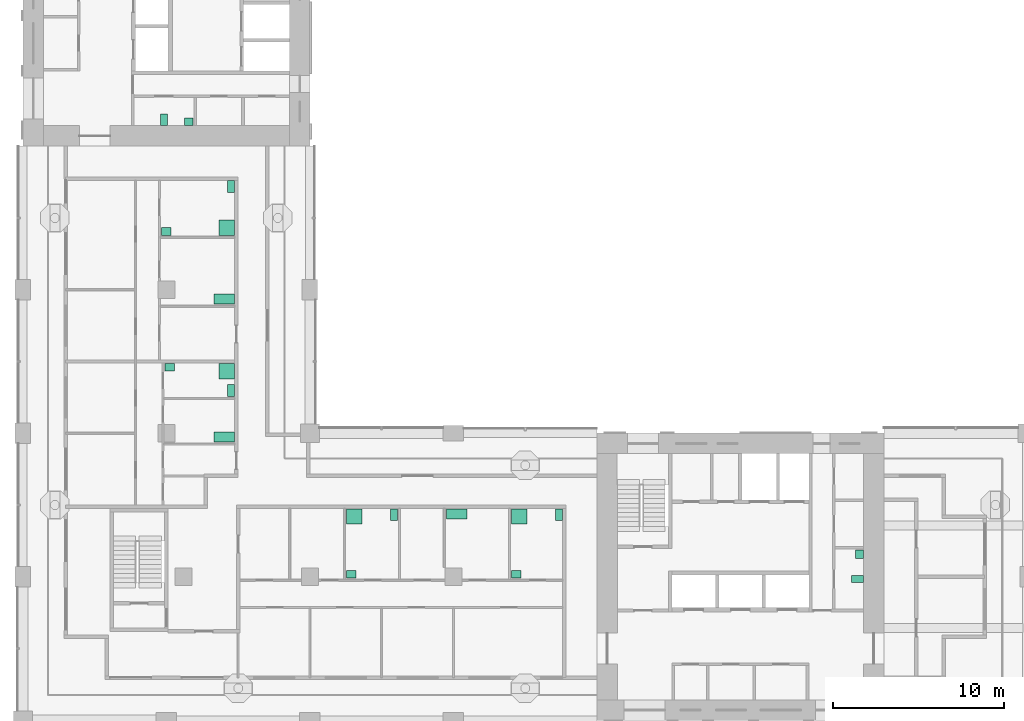
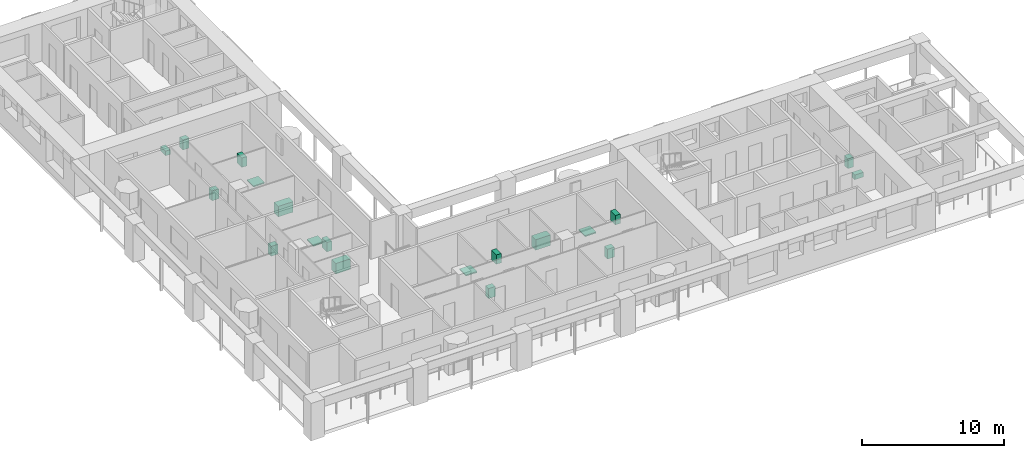
# One storey, part 11 of 13: 19 sanitary terminals.
"""IFC4 building model written with IfcOpenShell, lengths in metres."""

from ifc_helpers import new_model, si_unit, direction, frame, origin, origin_2d, place, context, subcontext, project, spatial, rectangle, extrude, material, element, save


model = new_model("IFC4")

# Units and contexts
model_context = context("Model", 3, precision=1e-05, world=origin(), true_north=direction((0.0, 1.0)))
body_context = subcontext(model_context, "Body", "Model", "MODEL_VIEW")
ifc_project = project(units=[si_unit("LENGTHUNIT", "METRE"), si_unit("AREAUNIT", "SQUARE_METRE"), si_unit("VOLUMEUNIT", "CUBIC_METRE"), si_unit("PLANEANGLEUNIT", "RADIAN"), si_unit("MASSUNIT", "GRAM", prefix="KILO")], contexts=[model_context])

# Site, building, storey
site_placement = place(None, origin())
site = spatial("IfcSite", under=ifc_project, at=site_placement, CompositionType="ELEMENT")
building_placement = place(site_placement, origin())
building = spatial("IfcBuilding", under=site, at=building_placement, Name="Vermilion Gate Residences", CompositionType="ELEMENT")
storey_placement = place(building_placement, frame((0.0, 0.0, 151.199951171875)))
storey = spatial("IfcBuildingStorey", under=building, at=storey_placement, Name="L38", CompositionType="ELEMENT", Elevation=151.199951171875)

# Sanitary terminals
ifc_material_1 = material(Name="Vitreous china")
sanitary_terminal_1_placement = place(storey_placement, frame((57.25, 16.659912109375, 0.0), z_axis=(0.0, 0.0, 1.0), x_axis=(1.0, 0.0, 0.0)))
element("IfcSanitaryTerminal", 1, at=sanitary_terminal_1_placement, inside=storey, material=ifc_material_1, Name="Toilet pan A38", PredefinedType="TOILETPAN", context=body_context, shape_type="SweptSolid", body=[
    extrude(rectangle(XDim=0.699951171875, YDim=0.39990234375, at=origin_2d()), origin(), (0.0, 0.0, 1.0), 0.39990234375),
])
sanitary_terminal_2_placement = place(storey_placement, frame((57.375, 18.1201171875, 0.0), z_axis=(0.0, 0.0, 1.0), x_axis=(1.0, 0.0, 0.0)))
element("IfcSanitaryTerminal", 2, at=sanitary_terminal_2_placement, inside=storey, material=ifc_material_1, Name="Washbasin A38", PredefinedType="WASHHANDBASIN", context=body_context, shape_type="SweptSolid", body=[
    extrude(rectangle(XDim=0.449951171875, YDim=0.5, at=origin_2d()), origin(), (0.0, 0.0, 1.0), 0.85009765625),
])
sanitary_terminal_3_placement = place(storey_placement, frame((16.659912109375, 43.550048828125, 0.0), z_axis=(0.0, 0.0, 1.0), x_axis=(1.0, 0.0, 0.0)))
element("IfcSanitaryTerminal", 3, at=sanitary_terminal_3_placement, inside=storey, material=ifc_material_1, Name="Toilet pan B38", PredefinedType="TOILETPAN", context=body_context, shape_type="SweptSolid", body=[
    extrude(rectangle(XDim=0.39990234375, YDim=0.699951171875, at=origin_2d()), origin(), (0.0, 0.0, 1.0), 0.39990234375),
])
sanitary_terminal_4_placement = place(storey_placement, frame((18.1201171875, 43.425048828125, 0.0), z_axis=(0.0, 0.0, 1.0), x_axis=(1.0, 0.0, 0.0)))
element("IfcSanitaryTerminal", 4, at=sanitary_terminal_4_placement, inside=storey, material=ifc_material_1, Name="Washbasin B38", PredefinedType="WASHHANDBASIN", context=body_context, shape_type="SweptSolid", body=[
    extrude(rectangle(XDim=0.5, YDim=0.449951171875, at=origin_2d()), origin(), (0.0, 0.0, 1.0), 0.85009765625),
])
sanitary_terminal_5_placement = place(storey_placement, frame((27.802978515625, 20.330078125, 0.0), z_axis=(0.0, 0.0, 1.0), x_axis=(1.0, 0.0, 0.0)))
element("IfcSanitaryTerminal", 5, at=sanitary_terminal_5_placement, inside=storey, material=ifc_material_1, Name="Shower tray", PredefinedType="SHOWER", context=body_context, shape_type="SweptSolid", body=[
    extrude(rectangle(XDim=0.89990234375, YDim=0.89990234375, at=origin_2d()), origin(), (0.0, 0.0, 1.0), 0.10009765625),
])
sanitary_terminal_6_placement = place(storey_placement, frame((30.1298828125, 20.429931640625, 0.0), z_axis=(0.0, 0.0, 1.0), x_axis=(1.0, 0.0, 0.0)))
element("IfcSanitaryTerminal", 6, at=sanitary_terminal_6_placement, inside=storey, material=ifc_material_1, Name="Toilet", PredefinedType="TOILETPAN", context=body_context, shape_type="SweptSolid", body=[
    extrude(rectangle(XDim=0.39990234375, YDim=0.699951171875, at=origin_2d()), origin(), (0.0, 0.0, 1.0), 0.800048828125),
])
sanitary_terminal_7_placement = place(storey_placement, frame((27.6279296875, 16.945068359375, 0.0), z_axis=(0.0, 0.0, 1.0), x_axis=(1.0, 0.0, 0.0)))
element("IfcSanitaryTerminal", 7, at=sanitary_terminal_7_placement, inside=storey, material=ifc_material_1, Name="Wash basin", PredefinedType="WASHHANDBASIN", context=body_context, shape_type="SweptSolid", body=[
    extrude(rectangle(XDim=0.550048828125, YDim=0.449951171875, at=origin_2d()), origin(), (0.0, 0.0, 1.0), 0.85009765625),
])
ifc_material_2 = material(Name="Stainless steel", Category="steel")
sanitary_terminal_8_placement = place(storey_placement, frame((33.787109375, 20.47998046875, 0.0), z_axis=(0.0, 0.0, 1.0), x_axis=(1.0, 0.0, 0.0)))
element("IfcSanitaryTerminal", 8, at=sanitary_terminal_8_placement, inside=storey, material=ifc_material_2, Name="Kitchen sink", PredefinedType="SINK", context=body_context, shape_type="SweptSolid", body=[
    extrude(rectangle(XDim=1.199951171875, YDim=0.60009765625, at=origin_2d()), origin(), (0.0, 0.0, 1.0), 0.89990234375),
])
sanitary_terminal_9_placement = place(storey_placement, frame((37.4541015625, 20.330078125, 0.0), z_axis=(0.0, 0.0, 1.0), x_axis=(1.0, 0.0, 0.0)))
element("IfcSanitaryTerminal", 9, at=sanitary_terminal_9_placement, inside=storey, material=ifc_material_1, Name="Shower tray", PredefinedType="SHOWER", context=body_context, shape_type="SweptSolid", body=[
    extrude(rectangle(XDim=0.89990234375, YDim=0.89990234375, at=origin_2d()), origin(), (0.0, 0.0, 1.0), 0.10009765625),
])
sanitary_terminal_10_placement = place(storey_placement, frame((39.780029296875, 20.429931640625, 0.0), z_axis=(0.0, 0.0, 1.0), x_axis=(1.0, 0.0, 0.0)))
element("IfcSanitaryTerminal", 10, at=sanitary_terminal_10_placement, inside=storey, material=ifc_material_1, Name="Toilet", PredefinedType="TOILETPAN", context=body_context, shape_type="SweptSolid", body=[
    extrude(rectangle(XDim=0.39990234375, YDim=0.699951171875, at=origin_2d()), origin(), (0.0, 0.0, 1.0), 0.800048828125),
])
sanitary_terminal_11_placement = place(storey_placement, frame((37.279052734375, 16.945068359375, 0.0), z_axis=(0.0, 0.0, 1.0), x_axis=(1.0, 0.0, 0.0)))
element("IfcSanitaryTerminal", 11, at=sanitary_terminal_11_placement, inside=storey, material=ifc_material_1, Name="Wash basin", PredefinedType="WASHHANDBASIN", context=body_context, shape_type="SweptSolid", body=[
    extrude(rectangle(XDim=0.550048828125, YDim=0.449951171875, at=origin_2d()), origin(), (0.0, 0.0, 1.0), 0.85009765625),
])
sanitary_terminal_12_placement = place(storey_placement, frame((20.179931640625, 24.98291015625, 0.0), z_axis=(0.0, 0.0, 1.0), x_axis=(1.0, 0.0, 0.0)))
element("IfcSanitaryTerminal", 12, at=sanitary_terminal_12_placement, inside=storey, material=ifc_material_2, Name="Kitchen sink", PredefinedType="SINK", context=body_context, shape_type="SweptSolid", body=[
    extrude(rectangle(XDim=1.199951171875, YDim=0.60009765625, at=origin_2d()), origin(), (0.0, 0.0, 1.0), 0.89990234375),
])
sanitary_terminal_13_placement = place(storey_placement, frame((20.330078125, 28.830078125, 0.0), z_axis=(0.0, 0.0, 1.0), x_axis=(1.0, 0.0, 0.0)))
element("IfcSanitaryTerminal", 13, at=sanitary_terminal_13_placement, inside=storey, material=ifc_material_1, Name="Shower tray", PredefinedType="SHOWER", context=body_context, shape_type="SweptSolid", body=[
    extrude(rectangle(XDim=0.89990234375, YDim=0.89990234375, at=origin_2d()), origin(), (0.0, 0.0, 1.0), 0.10009765625),
])
sanitary_terminal_14_placement = place(storey_placement, frame((20.580078125, 27.695068359375, 0.0), z_axis=(0.0, 0.0, 1.0), x_axis=(1.0, 0.0, 0.0)))
element("IfcSanitaryTerminal", 14, at=sanitary_terminal_14_placement, inside=storey, material=ifc_material_1, Name="Toilet", PredefinedType="TOILETPAN", context=body_context, shape_type="SweptSolid", body=[
    extrude(rectangle(XDim=0.39990234375, YDim=0.699951171875, at=origin_2d()), origin(), (0.0, 0.0, 1.0), 0.800048828125),
])
sanitary_terminal_15_placement = place(storey_placement, frame((16.9951171875, 29.054931640625, 0.0), z_axis=(0.0, 0.0, 1.0), x_axis=(1.0, 0.0, 0.0)))
element("IfcSanitaryTerminal", 15, at=sanitary_terminal_15_placement, inside=storey, material=ifc_material_1, Name="Wash basin", PredefinedType="WASHHANDBASIN", context=body_context, shape_type="SweptSolid", body=[
    extrude(rectangle(XDim=0.550048828125, YDim=0.449951171875, at=origin_2d()), origin(), (0.0, 0.0, 1.0), 0.85009765625),
])
sanitary_terminal_16_placement = place(storey_placement, frame((20.179931640625, 33.052978515625, 0.0), z_axis=(0.0, 0.0, 1.0), x_axis=(1.0, 0.0, 0.0)))
element("IfcSanitaryTerminal", 16, at=sanitary_terminal_16_placement, inside=storey, material=ifc_material_2, Name="Kitchen sink", PredefinedType="SINK", context=body_context, shape_type="SweptSolid", body=[
    extrude(rectangle(XDim=1.199951171875, YDim=0.60009765625, at=origin_2d()), origin(), (0.0, 0.0, 1.0), 0.89990234375),
])
sanitary_terminal_17_placement = place(storey_placement, frame((20.330078125, 37.237060546875, 0.0), z_axis=(0.0, 0.0, 1.0), x_axis=(1.0, 0.0, 0.0)))
element("IfcSanitaryTerminal", 17, at=sanitary_terminal_17_placement, inside=storey, material=ifc_material_1, Name="Shower tray", PredefinedType="SHOWER", context=body_context, shape_type="SweptSolid", body=[
    extrude(rectangle(XDim=0.89990234375, YDim=0.89990234375, at=origin_2d()), origin(), (0.0, 0.0, 1.0), 0.10009765625),
])
sanitary_terminal_18_placement = place(storey_placement, frame((20.580078125, 39.6298828125, 0.0), z_axis=(0.0, 0.0, 1.0), x_axis=(1.0, 0.0, 0.0)))
element("IfcSanitaryTerminal", 18, at=sanitary_terminal_18_placement, inside=storey, material=ifc_material_1, Name="Toilet", PredefinedType="TOILETPAN", context=body_context, shape_type="SweptSolid", body=[
    extrude(rectangle(XDim=0.39990234375, YDim=0.699951171875, at=origin_2d()), origin(), (0.0, 0.0, 1.0), 0.800048828125),
])
sanitary_terminal_19_placement = place(storey_placement, frame((16.794921875, 37.011962890625, 0.0), z_axis=(0.0, 0.0, 1.0), x_axis=(1.0, 0.0, 0.0)))
element("IfcSanitaryTerminal", 19, at=sanitary_terminal_19_placement, inside=storey, material=ifc_material_1, Name="Wash basin", PredefinedType="WASHHANDBASIN", context=body_context, shape_type="SweptSolid", body=[
    extrude(rectangle(XDim=0.550048828125, YDim=0.449951171875, at=origin_2d()), origin(), (0.0, 0.0, 1.0), 0.85009765625),
])

save(model, "model.ifc")
